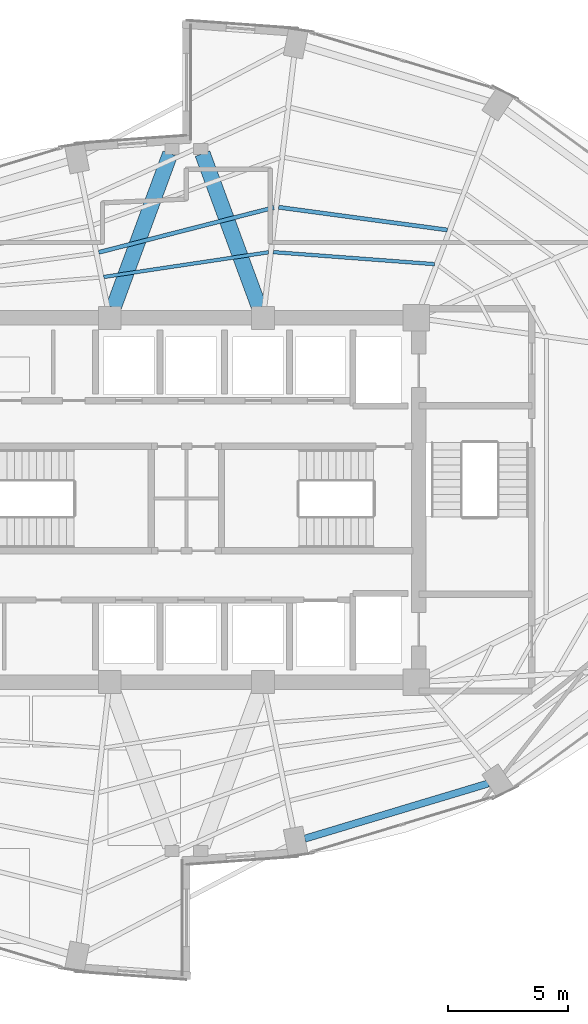
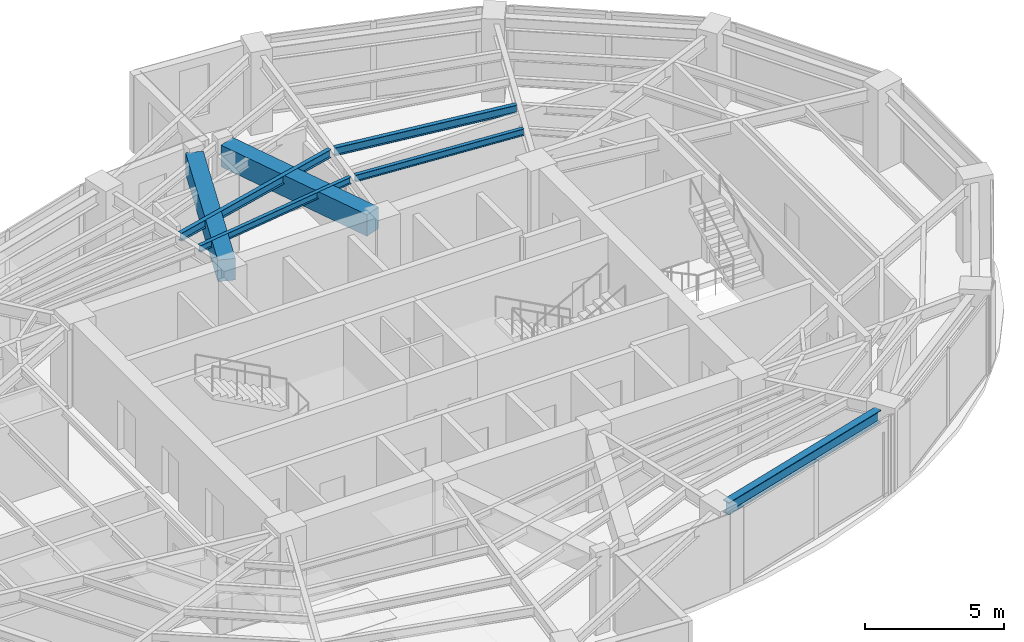
# One storey, part 8 of 20: 7 beams.
"""IFC4 building model written with IfcOpenShell, lengths in metres."""

from ifc_helpers import new_model, si_unit, direction, frame, origin, origin_2d, place, context, subcontext, project, spatial, rectangle, i_section, extrude, material, material_profile, profile_set, type_object, element, save


model = new_model("IFC4")

# Units and contexts
model_context = context("Model", 3, precision=1e-05, world=origin(), true_north=direction((0.0, 1.0)))
body_context = subcontext(model_context, "Body", "Model", "MODEL_VIEW")
ifc_project = project(units=[si_unit("LENGTHUNIT", "METRE"), si_unit("AREAUNIT", "SQUARE_METRE"), si_unit("VOLUMEUNIT", "CUBIC_METRE"), si_unit("PLANEANGLEUNIT", "RADIAN"), si_unit("MASSUNIT", "GRAM", prefix="KILO")], contexts=[model_context])

# Site, building, storey
site_placement = place(None, origin())
site = spatial("IfcSite", under=ifc_project, at=site_placement, CompositionType="ELEMENT")
building_placement = place(site_placement, origin())
building = spatial("IfcBuilding", under=site, at=building_placement, Name="Lazwardi Medical Tower", CompositionType="ELEMENT")
storey_placement = place(building_placement, frame((0.0, 0.0, 182.06396484375)))
storey = spatial("IfcBuildingStorey", under=building, at=storey_placement, Name="L47", CompositionType="ELEMENT", Elevation=182.06396484375)

# Beams
ifc_material_1 = material(Name="Concrete C60/75", Category="concrete")
ifc_material_profile_1 = material_profile(ifc_material_1, rectangle(XDim=0.64990234375, YDim=0.949951171875, at=origin_2d()), Name="RC 650x950")
ifc_profile_set_1 = profile_set([ifc_material_profile_1], Name="Concrete C60/75")
beam_type_1 = type_object("IfcBeamType", Name="BM-CB-RC2", PredefinedType="LINTEL", material=ifc_profile_set_1)
for number, where, z_axis, x_axis, name in (
    (1, (32.959228515625, 36.031494140625, 2.953125), (0.34601281054, 0.938229787921, 0.0), (-0.938229787921, 0.34601281054, 0.0), "Core coupling lintel CB-02 PL1 L47"),
    (2, (39.040771484375, 36.031494140625, 2.953125), (-0.34601281054, 0.938229787921, 0.0), (-0.938229787921, -0.34601281054, 0.0), "Core coupling lintel CB-02 PL2 L47"),
):
    element("IfcBeam", number, at=place(storey_placement, frame(where, z_axis=z_axis, x_axis=x_axis)), inside=storey, type_object=beam_type_1, Name=name, PredefinedType="LINTEL", context=body_context, shape_type="SweptSolid", body=[
        extrude(rectangle(XDim=0.64990234375, YDim=0.949951171875, at=origin_2d()), origin(), (0.0, 0.0, 1.0), 6.84423828125),
    ])
ifc_material_2 = material(Name="Steel S355", Category="steel")
ifc_material_profile_2 = material_profile(ifc_material_2, i_section(OverallWidth=0.300048828125, OverallDepth=0.550048828125, WebThickness=0.014892578125, FlangeThickness=0.029052734375, at=origin_2d()), Name="HEB 550")
ifc_profile_set_2 = profile_set([ifc_material_profile_2], Name="Steel S355")
beam_type_2 = type_object("IfcBeamType", Name="BM-RB-Z3", PredefinedType="BEAM", material=ifc_profile_set_2)
beam_1_placement = place(storey_placement, frame((40.943115234375, 13.866455078125, 3.153076171875), z_axis=(0.957616873483, 0.288045002771, 0.0), x_axis=(-0.288045002771, 0.957616873483, 0.0)))
element("IfcBeam", 3, at=beam_1_placement, inside=storey, type_object=beam_type_2, Name="Ring beam RB-04 B01 L47", PredefinedType="BEAM", context=body_context, shape_type="SweptSolid", body=[
    extrude(i_section(OverallWidth=0.300048828125, OverallDepth=0.550048828125, WebThickness=0.014892578125, FlangeThickness=0.029052734375, at=origin_2d()), origin(), (0.0, 0.0, 1.0), 7.99951171875),
])
ifc_material_profile_3 = material_profile(ifc_material_2, i_section(OverallWidth=0.169921875, OverallDepth=0.360107421875, WebThickness=0.008056640625, FlangeThickness=0.0126953125, at=origin_2d()), Name="IPE 360")
ifc_profile_set_3 = profile_set([ifc_material_profile_3], Name="Steel S355")
beam_type_3 = type_object("IfcBeamType", Name="BM-SJ-02", PredefinedType="JOIST", material=ifc_profile_set_3)
beam_2_placement = place(storey_placement, frame((46.889892578125, 39.269775390625, 3.248046875), z_axis=(-0.991056291961, 0.133444468468, 0.0), x_axis=(-0.133444468468, -0.991056291961, 0.0)))
element("IfcBeam", 4, at=beam_2_placement, inside=storey, type_object=beam_type_3, Name="Secondary joist SJ-02 R3 B07 L47", PredefinedType="JOIST", context=body_context, shape_type="SweptSolid", body=[
    extrude(i_section(OverallWidth=0.169921875, OverallDepth=0.360107421875, WebThickness=0.008056640625, FlangeThickness=0.0126953125, at=origin_2d()), origin(), (0.0, 0.0, 1.0), 7.10400390625),
])
beam_3_placement = place(storey_placement, frame((39.6533203125, 40.206298828125, 3.248046875), z_axis=(-0.96877632572, -0.247936344097, 0.0), x_axis=(0.247936344097, -0.96877632572, 0.0)))
element("IfcBeam", 5, at=beam_3_placement, inside=storey, type_object=beam_type_3, Name="Secondary joist SJ-02 R3 B08 L47", PredefinedType="JOIST", context=body_context, shape_type="SweptSolid", body=[
    extrude(i_section(OverallWidth=0.169921875, OverallDepth=0.360107421875, WebThickness=0.008056640625, FlangeThickness=0.0126953125, at=origin_2d()), origin(), (0.0, 0.0, 1.0), 7.546630859375),
])
ifc_material_profile_4 = material_profile(ifc_material_2, i_section(OverallWidth=0.14990234375, OverallDepth=0.300048828125, WebThickness=0.007080078125, FlangeThickness=0.0107421875, at=origin_2d()), Name="IPE 300")
ifc_profile_set_4 = profile_set([ifc_material_profile_4], Name="Steel S355")
beam_type_4 = type_object("IfcBeamType", Name="BM-SJ-03", PredefinedType="JOIST", material=ifc_profile_set_4)
beam_4_placement = place(storey_placement, frame((46.349609375, 37.843505859375, 3.278076171875), z_axis=(-0.99722699261, 0.074419924822, 0.0), x_axis=(-0.074419924822, -0.99722699261, 0.0)))
element("IfcBeam", 6, at=beam_4_placement, inside=storey, type_object=beam_type_4, Name="Secondary joist SJ-03 R4 B07 L47", PredefinedType="JOIST", context=body_context, shape_type="SweptSolid", body=[
    extrude(i_section(OverallWidth=0.14990234375, OverallDepth=0.300048828125, WebThickness=0.007080078125, FlangeThickness=0.0107421875, at=origin_2d()), origin(), (0.0, 0.0, 1.0), 6.74169921875),
])
beam_5_placement = place(storey_placement, frame((39.42822265625, 38.337890625, 3.278076171875), z_axis=(-0.98897469849, -0.148084589835, 0.0), x_axis=(0.148084589835, -0.98897469849, 0.0)))
element("IfcBeam", 7, at=beam_5_placement, inside=storey, type_object=beam_type_4, Name="Secondary joist SJ-03 R4 B08 L47", PredefinedType="JOIST", context=body_context, shape_type="SweptSolid", body=[
    extrude(i_section(OverallWidth=0.14990234375, OverallDepth=0.300048828125, WebThickness=0.007080078125, FlangeThickness=0.0107421875, at=origin_2d()), origin(), (0.0, 0.0, 1.0), 6.952392578125),
])

save(model, "model.ifc")
